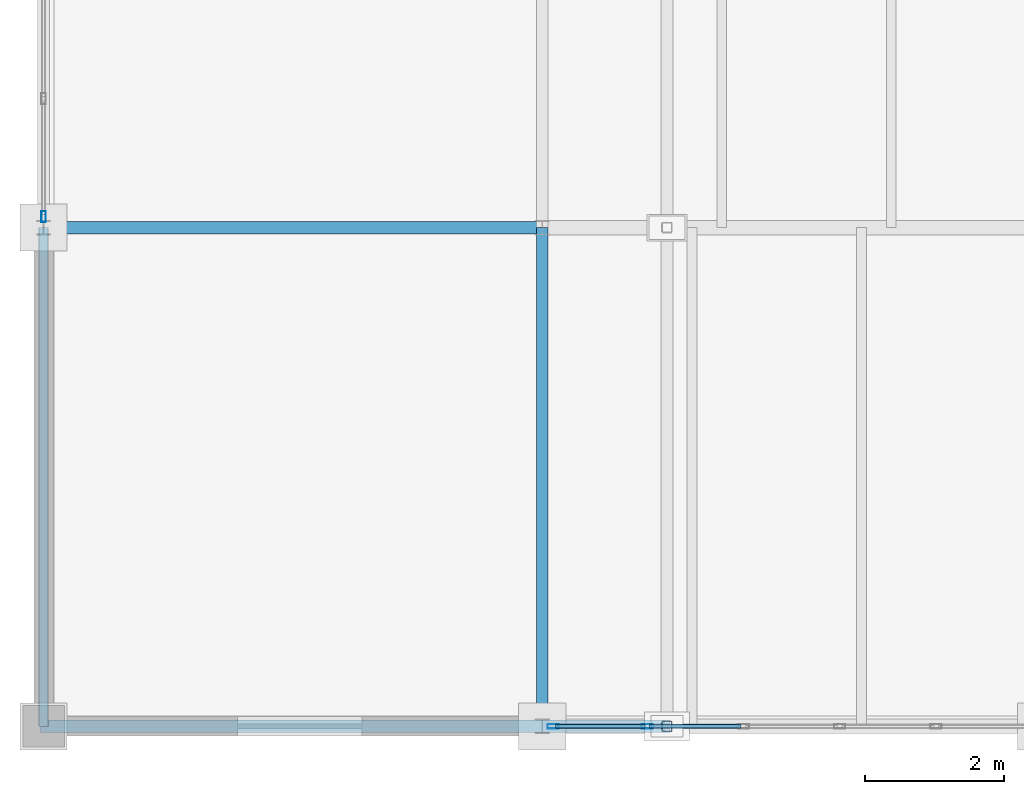
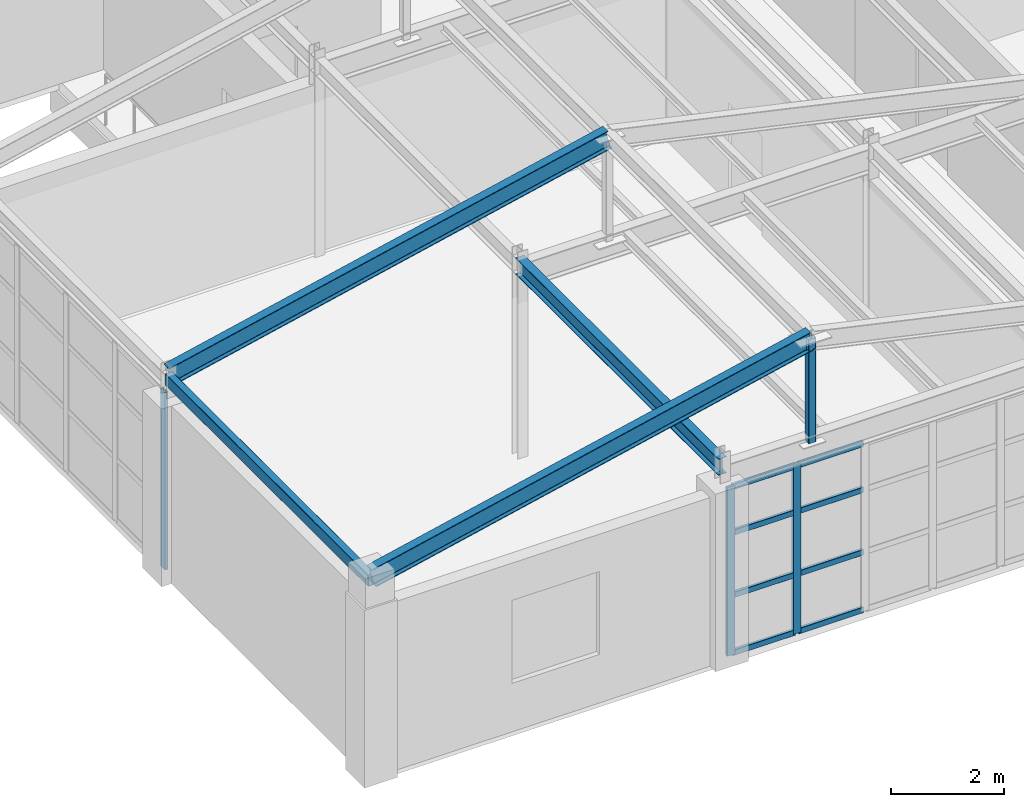
# One storey, part 8 of 43: 12 members, 4 beams, 2 elements without a shape of their own.
"""IFC4 building model written with IfcOpenShell, lengths in metres."""

from ifc_helpers import new_model, si_unit, direction, frame, origin, origin_2d, place, context, subcontext, project, spatial, hollow_rectangle, i_section, extrude, material, layer, layer_set, material_profile, profile_set, type_object, element, aggregate, save


model = new_model("IFC4")

# Units and contexts
model_context = context("Model", 3, precision=1e-05, world=origin(), true_north=direction((0.0, 1.0)))
body_context = subcontext(model_context, "Body", "Model", "MODEL_VIEW")
ifc_project = project(units=[si_unit("LENGTHUNIT", "METRE"), si_unit("AREAUNIT", "SQUARE_METRE"), si_unit("VOLUMEUNIT", "CUBIC_METRE"), si_unit("PLANEANGLEUNIT", "RADIAN"), si_unit("MASSUNIT", "GRAM", prefix="KILO")], contexts=[model_context])

# Site, building, storey
site_placement = place(None, origin())
site = spatial("IfcSite", under=ifc_project, at=site_placement, CompositionType="ELEMENT")
building_placement = place(site_placement, origin())
building = spatial("IfcBuilding", under=site, at=building_placement, Name="Kemerveld Promenade Tramway Depot", CompositionType="ELEMENT")
storey_placement = place(building_placement, frame((0.0, 0.0, 18.89990234375)))
storey = spatial("IfcBuildingStorey", under=building, at=storey_placement, Name="L04", CompositionType="ELEMENT", Elevation=18.89990234375)

# Beams
ifc_material_1 = material(Name="Steel S355", Category="steel")
ifc_material_profile_1 = material_profile(ifc_material_1, i_section(OverallWidth=0.1787109375, OverallDepth=0.409423828125, WebThickness=0.0087890625, FlangeThickness=0.014404296875, FilletRadius=0.01025390625, at=origin_2d()), Name="406x178x67 UB")
ifc_profile_set_1 = profile_set([ifc_material_profile_1], Name="Steel S355")
beam_type_1 = type_object("IfcBeamType", Name="BM-G07", PredefinedType="BEAM", material=ifc_profile_set_1)
for number, where, z_axis, x_axis, name in (
    (1, (0.0, 0.0, 4.275390625), (0.976187060184, 0.0, 0.216930457819), (0.0, 1.0, 0.0), "RAF-V5-A-W"),
    (2, (0.0, 7.199951171875, 4.275390625), (0.976187060184, 0.0, 0.216930457819), (0.0, 1.0, 0.0), "RAF-V5-B-W"),
):
    element("IfcBeam", number, at=place(storey_placement, frame(where, z_axis=z_axis, x_axis=x_axis)), inside=storey, type_object=beam_type_1, Name=name, PredefinedType="BEAM", context=body_context, shape_type="SweptSolid", body=[
        extrude(i_section(OverallWidth=0.1787109375, OverallDepth=0.409423828125, WebThickness=0.0087890625, FlangeThickness=0.014404296875, FilletRadius=0.01025390625, at=origin_2d()), origin(), (0.0, 0.0, 1.0), 9.219482421875),
    ])
ifc_material_profile_2 = material_profile(ifc_material_1, i_section(OverallWidth=0.172119140625, OverallDepth=0.35791015625, WebThickness=0.008056640625, FlangeThickness=0.012939453125, FilletRadius=0.01025390625, at=origin_2d()), Name="356x171x57 UB")
ifc_profile_set_2 = profile_set([ifc_material_profile_2], Name="Steel S355")
beam_type_2 = type_object("IfcBeamType", Name="BM-G08", PredefinedType="BEAM", material=ifc_profile_set_2)
beam_1_placement = place(storey_placement, frame((7.199951171875, 0.0, 4.14111328125), z_axis=(0.0, 1.0, 0.0), x_axis=(-1.0, 0.0, 0.0)))
element("IfcBeam", 3, at=beam_1_placement, inside=storey, type_object=beam_type_2, Name="BMY-L04-02-A-B", PredefinedType="BEAM", context=body_context, shape_type="SweptSolid", body=[
    extrude(i_section(OverallWidth=0.172119140625, OverallDepth=0.35791015625, WebThickness=0.008056640625, FlangeThickness=0.012939453125, FilletRadius=0.01025390625, at=origin_2d()), origin(), (0.0, 0.0, 1.0), 7.199951171875),
])
ifc_material_profile_3 = material_profile(ifc_material_1, hollow_rectangle(XDim=0.14990234375, YDim=0.25, WallThickness=0.010009765625, InnerFilletRadius=0.0048828125, OuterFilletRadius=0.014892578125, at=origin_2d()), Name="250x150x10.0 RHS")
ifc_profile_set_3 = profile_set([ifc_material_profile_3], Name="Steel S355")
beam_type_3 = type_object("IfcBeamType", Name="BM-SP2", PredefinedType="SPANDREL", material=ifc_profile_set_3)
beam_2_placement = place(storey_placement, frame((0.0, 0.0, 4.195068359375), z_axis=(0.0, 1.0, 0.0), x_axis=(-1.0, 0.0, 0.0)))
element("IfcBeam", 4, at=beam_2_placement, inside=storey, type_object=beam_type_3, Name="BMY-L04-01-A-B", PredefinedType="SPANDREL", context=body_context, shape_type="SweptSolid", body=[
    extrude(hollow_rectangle(XDim=0.14990234375, YDim=0.25, WallThickness=0.010009765625, InnerFilletRadius=0.0048828125, OuterFilletRadius=0.014892578125, at=origin_2d()), origin(), (0.0, 0.0, 1.0), 7.199951171875),
])

# Curtain wall, member
ifc_material_2 = material(Name="Bronze anodised aluminium and solar glass", Category="aluminium")
ifc_layer_1 = layer(ifc_material_2, 0.159912109375)
ifc_layer_set_1 = layer_set([ifc_layer_1], Name="CW-SYS-05")
curtain_wall_type_1 = type_object("IfcCurtainWallType", Name="CW-SYS-05", PredefinedType="USERDEFINED", material=ifc_layer_set_1)
curtain_wall_1_placement = place(storey_placement, origin())
curtain_wall_1 = element("IfcCurtainWall", 5, at=curtain_wall_1_placement, inside=storey, type_object=curtain_wall_type_1, Name="CW-L04-V5W-02", ObjectType="GLAZED_CURTAIN_WALL", PredefinedType="USERDEFINED")
ifc_material_3 = material(Name="Bronze anodised aluminium", Category="aluminium")
ifc_material_profile_4 = material_profile(ifc_material_3, hollow_rectangle(XDim=0.06494140625, YDim=0.159912109375, WallThickness=0.00390625, InnerFilletRadius=0.001953125, OuterFilletRadius=0.00390625, at=origin_2d()), Name="CW-MUL-160x65")
ifc_profile_set_4 = profile_set([ifc_material_profile_4], Name="Bronze anodised aluminium")
member_type_1 = type_object("IfcMemberType", Name="CW-MUL-A", PredefinedType="MULLION", material=ifc_profile_set_4)
member_1_placement = place(storey_placement, frame((0.0, 7.357421875, 0.0), z_axis=(0.0, 0.0, 1.0), x_axis=(-1.0, 0.0, 0.0)))
member_1 = element("IfcMember", 6, at=member_1_placement, type_object=member_type_1, Name="CW05 mullion 1", PredefinedType="MULLION", context=body_context, shape_type="SweptSolid", body=[
    extrude(hollow_rectangle(XDim=0.06494140625, YDim=0.159912109375, WallThickness=0.00390625, InnerFilletRadius=0.001953125, OuterFilletRadius=0.00390625, at=origin_2d()), origin(), (0.0, 0.0, 1.0), 3.85009765625),
])
aggregate(curtain_wall_1, [member_1])

# Curtain wall, members
ifc_layer_2 = layer(ifc_material_2, 0.159912109375)
ifc_layer_set_2 = layer_set([ifc_layer_2], Name="CW-SYS-07")
curtain_wall_type_2 = type_object("IfcCurtainWallType", Name="CW-SYS-07", PredefinedType="USERDEFINED", material=ifc_layer_set_2)
curtain_wall_2_placement = place(storey_placement, origin())
curtain_wall_2 = element("IfcCurtainWall", 7, at=curtain_wall_2_placement, inside=storey, type_object=curtain_wall_type_2, Name="CW-L04-V5S-04", ObjectType="GLAZED_CURTAIN_WALL", PredefinedType="USERDEFINED")
member_2_placement = place(storey_placement, frame((8.71484375, 0.0, 0.0), z_axis=(0.0, 0.0, 1.0), x_axis=(0.0, -1.0, 0.0)))
member_2 = element("IfcMember", 8, at=member_2_placement, type_object=member_type_1, Name="CW07 mullion 5", PredefinedType="MULLION", context=body_context, shape_type="SweptSolid", body=[
    extrude(hollow_rectangle(XDim=0.06494140625, YDim=0.159912109375, WallThickness=0.00390625, InnerFilletRadius=0.001953125, OuterFilletRadius=0.00390625, at=origin_2d()), origin(), (0.0, 0.0, 1.0), 3.658203125),
])
member_3_placement = place(storey_placement, frame((7.357421875, 0.0, 0.0), z_axis=(0.0, 0.0, 1.0), x_axis=(0.0, -1.0, 0.0)))
member_3 = element("IfcMember", 9, at=member_3_placement, type_object=member_type_1, Name="CW07 mullion 6", PredefinedType="MULLION", context=body_context, shape_type="SweptSolid", body=[
    extrude(hollow_rectangle(XDim=0.06494140625, YDim=0.159912109375, WallThickness=0.00390625, InnerFilletRadius=0.001953125, OuterFilletRadius=0.00390625, at=origin_2d()), origin(), (0.0, 0.0, 1.0), 3.658203125),
])
ifc_material_profile_5 = material_profile(ifc_material_3, hollow_rectangle(XDim=0.06005859375, YDim=0.1201171875, WallThickness=0.00390625, InnerFilletRadius=0.001953125, OuterFilletRadius=0.00390625, at=origin_2d()), Name="CW-TRN-120x60")
ifc_profile_set_5 = profile_set([ifc_material_profile_5], Name="Bronze anodised aluminium")
member_type_2 = type_object("IfcMemberType", Name="CW-TRN-A", PredefinedType="USERDEFINED", material=ifc_profile_set_5)
member_4_placement = place(storey_placement, frame((10.072509765625, 0.0, 0.030029296875), z_axis=(-1.0, 0.0, 0.0), x_axis=(0.0, -1.0, 0.0)))
member_4 = element("IfcMember", 10, at=member_4_placement, type_object=member_type_2, Name="CW07 transom 4.1", ObjectType="TRANSOM", PredefinedType="USERDEFINED", context=body_context, shape_type="SweptSolid", body=[
    extrude(hollow_rectangle(XDim=0.06005859375, YDim=0.1201171875, WallThickness=0.00390625, InnerFilletRadius=0.001953125, OuterFilletRadius=0.00390625, at=origin_2d()), origin(), (0.0, 0.0, 1.0), 1.3251953125),
])
member_5_placement = place(storey_placement, frame((10.072509765625, 0.0, 1.280029296875), z_axis=(-1.0, 0.0, 0.0), x_axis=(0.0, -1.0, 0.0)))
member_5 = element("IfcMember", 11, at=member_5_placement, type_object=member_type_2, Name="CW07 transom 4.2", ObjectType="TRANSOM", PredefinedType="USERDEFINED", context=body_context, shape_type="SweptSolid", body=[
    extrude(hollow_rectangle(XDim=0.06005859375, YDim=0.1201171875, WallThickness=0.00390625, InnerFilletRadius=0.001953125, OuterFilletRadius=0.00390625, at=origin_2d()), origin(), (0.0, 0.0, 1.0), 1.3251953125),
])
member_6_placement = place(storey_placement, frame((10.072509765625, 0.0, 2.634033203125), z_axis=(-1.0, 0.0, 0.0), x_axis=(0.0, -1.0, 0.0)))
member_6 = element("IfcMember", 12, at=member_6_placement, type_object=member_type_2, Name="CW07 transom 4.3", ObjectType="TRANSOM", PredefinedType="USERDEFINED", context=body_context, shape_type="SweptSolid", body=[
    extrude(hollow_rectangle(XDim=0.06005859375, YDim=0.1201171875, WallThickness=0.00390625, InnerFilletRadius=0.001953125, OuterFilletRadius=0.00390625, at=origin_2d()), origin(), (0.0, 0.0, 1.0), 1.3251953125),
])
member_7_placement = place(storey_placement, frame((10.072509765625, 0.0, 3.62841796875), z_axis=(-1.0, 0.0, 0.0), x_axis=(0.0, -1.0, 0.0)))
member_7 = element("IfcMember", 13, at=member_7_placement, type_object=member_type_2, Name="CW07 transom 4.4", ObjectType="TRANSOM", PredefinedType="USERDEFINED", context=body_context, shape_type="SweptSolid", body=[
    extrude(hollow_rectangle(XDim=0.06005859375, YDim=0.1201171875, WallThickness=0.00390625, InnerFilletRadius=0.001953125, OuterFilletRadius=0.00390625, at=origin_2d()), origin(), (0.0, 0.0, 1.0), 1.3251953125),
])
member_8_placement = place(storey_placement, frame((8.682373046875, 0.0, 0.030029296875), z_axis=(-1.0, 0.0, 0.0), x_axis=(0.0, -1.0, 0.0)))
member_8 = element("IfcMember", 14, at=member_8_placement, type_object=member_type_2, Name="CW07 transom 5.1", ObjectType="TRANSOM", PredefinedType="USERDEFINED", context=body_context, shape_type="SweptSolid", body=[
    extrude(hollow_rectangle(XDim=0.06005859375, YDim=0.1201171875, WallThickness=0.00390625, InnerFilletRadius=0.001953125, OuterFilletRadius=0.00390625, at=origin_2d()), origin(), (0.0, 0.0, 1.0), 1.29248046875),
])
member_9_placement = place(storey_placement, frame((8.682373046875, 0.0, 1.280029296875), z_axis=(-1.0, 0.0, 0.0), x_axis=(0.0, -1.0, 0.0)))
member_9 = element("IfcMember", 15, at=member_9_placement, type_object=member_type_2, Name="CW07 transom 5.2", ObjectType="TRANSOM", PredefinedType="USERDEFINED", context=body_context, shape_type="SweptSolid", body=[
    extrude(hollow_rectangle(XDim=0.06005859375, YDim=0.1201171875, WallThickness=0.00390625, InnerFilletRadius=0.001953125, OuterFilletRadius=0.00390625, at=origin_2d()), origin(), (0.0, 0.0, 1.0), 1.29248046875),
])
member_10_placement = place(storey_placement, frame((8.682373046875, 0.0, 2.634033203125), z_axis=(-1.0, 0.0, 0.0), x_axis=(0.0, -1.0, 0.0)))
member_10 = element("IfcMember", 16, at=member_10_placement, type_object=member_type_2, Name="CW07 transom 5.3", ObjectType="TRANSOM", PredefinedType="USERDEFINED", context=body_context, shape_type="SweptSolid", body=[
    extrude(hollow_rectangle(XDim=0.06005859375, YDim=0.1201171875, WallThickness=0.00390625, InnerFilletRadius=0.001953125, OuterFilletRadius=0.00390625, at=origin_2d()), origin(), (0.0, 0.0, 1.0), 1.29248046875),
])
member_11_placement = place(storey_placement, frame((8.682373046875, 0.0, 3.62841796875), z_axis=(-1.0, 0.0, 0.0), x_axis=(0.0, -1.0, 0.0)))
member_11 = element("IfcMember", 17, at=member_11_placement, type_object=member_type_2, Name="CW07 transom 5.4", ObjectType="TRANSOM", PredefinedType="USERDEFINED", context=body_context, shape_type="SweptSolid", body=[
    extrude(hollow_rectangle(XDim=0.06005859375, YDim=0.1201171875, WallThickness=0.00390625, InnerFilletRadius=0.001953125, OuterFilletRadius=0.00390625, at=origin_2d()), origin(), (0.0, 0.0, 1.0), 1.29248046875),
])
aggregate(curtain_wall_2, [member_2, member_3, member_4, member_5, member_6, member_7, member_8, member_9, member_10, member_11])

# Member
ifc_material_profile_6 = material_profile(ifc_material_1, hollow_rectangle(XDim=0.14990234375, YDim=0.14990234375, WallThickness=0.008056640625, InnerFilletRadius=0.00390625, OuterFilletRadius=0.011962890625, at=origin_2d()), Name="150x150x8.0 SHS")
ifc_profile_set_6 = profile_set([ifc_material_profile_6], Name="Steel S355")
member_type_3 = type_object("IfcMemberType", Name="MB-TP2", PredefinedType="POST", material=ifc_profile_set_6)
member_12_placement = place(storey_placement, frame((9.0, 0.0, 4.050048828125), z_axis=(0.0, 0.0, 1.0), x_axis=(1.0, 0.0, 0.0)))
element("IfcMember", 18, at=member_12_placement, inside=storey, type_object=member_type_3, Name="POST-RDG-V5-A", PredefinedType="POST", context=body_context, shape_type="SweptSolid", body=[
    extrude(hollow_rectangle(XDim=0.14990234375, YDim=0.14990234375, WallThickness=0.008056640625, InnerFilletRadius=0.00390625, OuterFilletRadius=0.011962890625, at=origin_2d()), origin(), (0.0, 0.0, 1.0), 2.265380859375),
])

save(model, "model.ifc")
